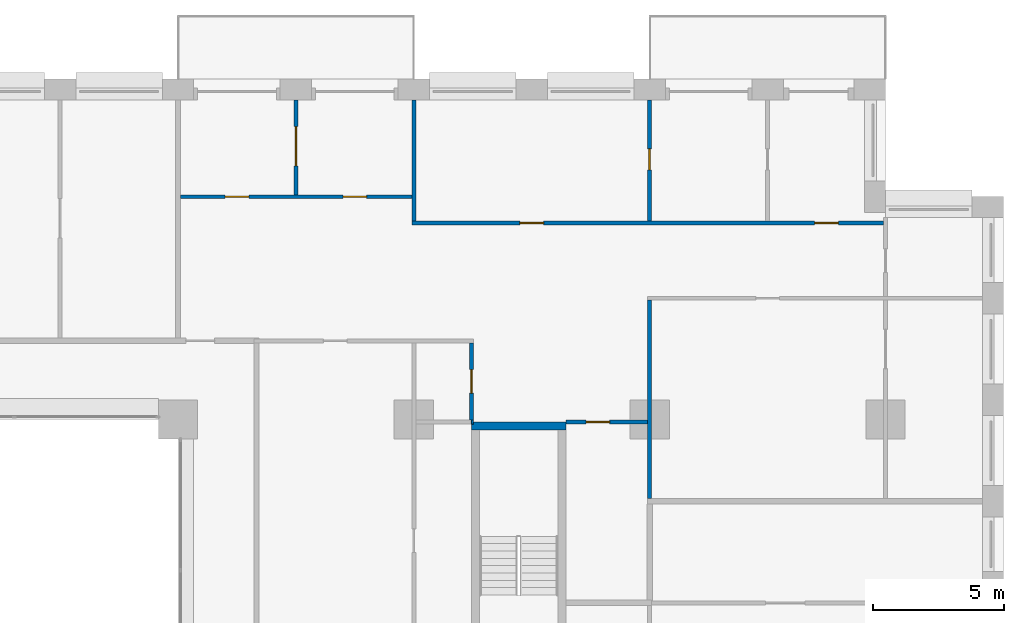
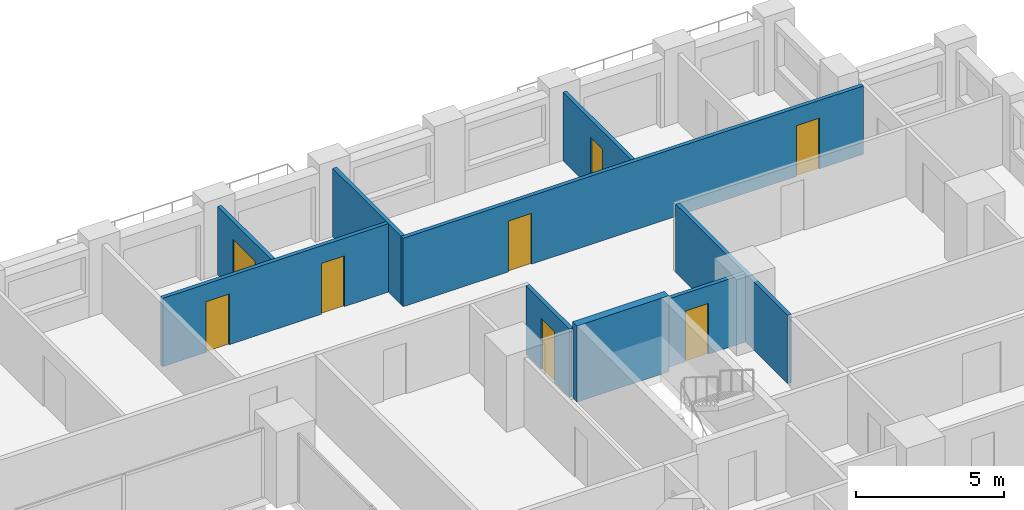
# One storey, part 16 of 21: 10 walls, 8 doors, 8 openings.
"""IFC4 building model written with IfcOpenShell, lengths in metres."""

from ifc_helpers import new_model, si_unit, direction, frame, frame_2d, origin, place, context, subcontext, project, spatial, rectangle, extrude, material, layer, layer_set, type_object, element, fill, save


model = new_model("IFC4")

# Units and contexts
model_context = context("Model", 3, precision=1e-05, world=origin(), true_north=direction((0.0, 1.0)))
body_context = subcontext(model_context, "Body", "Model", "MODEL_VIEW")
ifc_project = project(units=[si_unit("LENGTHUNIT", "METRE"), si_unit("AREAUNIT", "SQUARE_METRE"), si_unit("VOLUMEUNIT", "CUBIC_METRE"), si_unit("PLANEANGLEUNIT", "RADIAN"), si_unit("MASSUNIT", "GRAM", prefix="KILO")], contexts=[model_context])

# Site, building, storey
site_placement = place(None, origin())
site = spatial("IfcSite", under=ifc_project, at=site_placement, CompositionType="ELEMENT")
building_placement = place(site_placement, origin())
building = spatial("IfcBuilding", under=site, at=building_placement, Name="Brigalow Station Residences", CompositionType="ELEMENT")
storey_placement = place(building_placement, frame((0.0, 0.0, 51.0)))
storey = spatial("IfcBuildingStorey", under=building, at=storey_placement, Name="L14", CompositionType="ELEMENT", Elevation=51.0)

# Wall
ifc_material_1 = material(Name="Concrete C80", Category="concrete")
ifc_layer_1 = layer(ifc_material_1, 0.300048828125)
ifc_layer_set_1 = layer_set([ifc_layer_1], Name="CORE SHEAR WALL 300 C80")
wall_type_1 = type_object("IfcWallType", Name="CORE SHEAR WALL 300 C80", PredefinedType="SHEAR", material=ifc_layer_set_1)
wall_1_placement = place(storey_placement, frame((56.199951171875, 35.25, 0.0), z_axis=(0.0, 0.0, 1.0), x_axis=(1.0, 0.0, 0.0)))
element("IfcWall", 1, at=wall_1_placement, inside=storey, type_object=wall_type_1, Name="CORE WALL ST-S3-N L14", PredefinedType="SHEAR", context=body_context, shape_type="SweptSolid", body=[
    extrude(rectangle(XDim=3.60009765625, YDim=0.300048828125, at=frame_2d((1.800048828125, 0.0))), origin(), (0.0, 0.0, 1.0), 3.14990234375),
])

# Wall, openings, doors
ifc_material_2 = material(Name="Plasterboard on steel stud partition", Category="steel")
ifc_layer_2 = layer(ifc_material_2, 0.14990234375)
ifc_layer_set_2 = layer_set([ifc_layer_2], Name="FLAT PARTITION 150")
wall_type_2 = type_object("IfcWallType", Name="FLAT PARTITION 150", PredefinedType="PARTITIONING", material=ifc_layer_set_2)
wall_2_placement = place(storey_placement, frame((45.10009765625, 44.0, 0.0), z_axis=(0.0, 0.0, 1.0), x_axis=(1.0, 0.0, 0.0)))
wall_2 = element("IfcWall", 2, at=wall_2_placement, inside=storey, type_object=wall_type_2, Name="PW-1D22", PredefinedType="PARTITIONING", context=body_context, shape_type="SweptSolid", body=[
    extrude(rectangle(XDim=8.824951171875, YDim=0.14990234375, at=frame_2d((4.41259765625, 0.0))), origin(), (0.0, 0.0, 1.0), 2.830078125),
])
opening_1_placement = place(wall_2_placement, frame((6.199951171875, 0.0, 0.0)))
opening_1 = element("IfcOpeningElement", 3, at=opening_1_placement, cuts=wall_2, Name="Opening D-1D36", PredefinedType="OPENING", context=body_context, shape_type="SweptSolid", body=[
    extrude(rectangle(XDim=0.89990234375, YDim=2.10009765625, at=frame_2d((0.449951171875, 1.050048828125))), frame((0.0, 0.0849609375, 0.0), z_axis=(0.0, -1.0, 0.0), x_axis=(1.0, 0.0, 0.0)), (0.0, 0.0, 1.0), 0.169921875),
])
opening_2_placement = place(wall_2_placement, frame((1.699951171875, 0.0, 0.0)))
opening_2 = element("IfcOpeningElement", 4, at=opening_2_placement, cuts=wall_2, Name="Opening D-1D40", PredefinedType="OPENING", context=body_context, shape_type="SweptSolid", body=[
    extrude(rectangle(XDim=0.89990234375, YDim=2.10009765625, at=frame_2d((0.449951171875, 1.050048828125))), frame((0.0, 0.0849609375, 0.0), z_axis=(0.0, -1.0, 0.0), x_axis=(1.0, 0.0, 0.0)), (0.0, 0.0, 1.0), 0.169921875),
])
ifc_material_3 = material(Name="Solid-core timber door leaf", Category="wood")
door_type_1 = type_object("IfcDoorType", Name="INTERNAL DOOR 900 x 2100", OperationType="SINGLE_SWING_LEFT", PredefinedType="DOOR", material=ifc_material_3)
door_1_placement = place(opening_1_placement, origin())
door_1 = element("IfcDoor", 5, at=door_1_placement, inside=storey, type_object=door_type_1, Name="D-1D36", OperationType="SINGLE_SWING_LEFT", OverallHeight=2.10009765625, OverallWidth=0.89990234375, PredefinedType="DOOR", context=body_context, shape_type="SweptSolid", body=[
    extrude(rectangle(XDim=0.89990234375, YDim=2.10009765625, at=frame_2d((0.449951171875, 1.050048828125))), frame((0.0, 0.02490234375, 0.0), z_axis=(0.0, -1.0, 0.0), x_axis=(1.0, 0.0, 0.0)), (0.0, 0.0, 1.0), 0.050048828125),
])
fill(opening_1, door_1)
door_2_placement = place(opening_2_placement, origin())
door_2 = element("IfcDoor", 6, at=door_2_placement, inside=storey, type_object=door_type_1, Name="D-1D40", OperationType="SINGLE_SWING_LEFT", OverallHeight=2.10009765625, OverallWidth=0.89990234375, PredefinedType="DOOR", context=body_context, shape_type="SweptSolid", body=[
    extrude(rectangle(XDim=0.89990234375, YDim=2.10009765625, at=frame_2d((0.449951171875, 1.050048828125))), frame((0.0, 0.02490234375, 0.0), z_axis=(0.0, -1.0, 0.0), x_axis=(1.0, 0.0, 0.0)), (0.0, 0.0, 1.0), 0.050048828125),
])
fill(opening_2, door_2)

# Wall
wall_3_placement = place(storey_placement, frame((56.199951171875, 35.39990234375, 0.0), z_axis=(0.0, 0.0, 1.0), x_axis=(1.0, 0.0, 0.0)))
element("IfcWall", 7, at=wall_3_placement, inside=storey, type_object=wall_type_2, Name="PW-1D26", PredefinedType="PARTITIONING", context=body_context, shape_type="SweptSolid", body=[
    extrude(rectangle(XDim=0.074951171875, YDim=0.14990234375, at=frame_2d((0.03759765625, 0.0))), origin(), (0.0, 0.0, 1.0), 2.830078125),
])

# Wall, opening, door
wall_4_placement = place(storey_placement, frame((59.800048828125, 35.39990234375, 0.0), z_axis=(0.0, 0.0, 1.0), x_axis=(1.0, 0.0, 0.0)))
wall_4 = element("IfcWall", 8, at=wall_4_placement, inside=storey, type_object=wall_type_2, Name="PW-1D27", PredefinedType="PARTITIONING", context=body_context, shape_type="SweptSolid", body=[
    extrude(rectangle(XDim=3.125, YDim=0.14990234375, at=frame_2d((1.5625, 0.0))), origin(), (0.0, 0.0, 1.0), 2.830078125),
])
opening_3_placement = place(wall_4_placement, frame((0.77490234375, 0.0, 0.0)))
opening_3 = element("IfcOpeningElement", 9, at=opening_3_placement, cuts=wall_4, Name="Opening D-1D45", PredefinedType="OPENING", context=body_context, shape_type="SweptSolid", body=[
    extrude(rectangle(XDim=0.89990234375, YDim=2.10009765625, at=frame_2d((0.449951171875, 1.050048828125))), frame((0.0, 0.0849609375, 0.0), z_axis=(0.0, -1.0, 0.0), x_axis=(1.0, 0.0, 0.0)), (0.0, 0.0, 1.0), 0.169921875),
])
door_3_placement = place(opening_3_placement, frame((0.89990234375, 0.0, 0.0), z_axis=(0.0, 0.0, 1.0), x_axis=(-1.0, 0.0, 0.0)))
door_3 = element("IfcDoor", 10, at=door_3_placement, inside=storey, type_object=door_type_1, Name="D-1D45", OperationType="SINGLE_SWING_RIGHT", OverallHeight=2.10009765625, OverallWidth=0.89990234375, PredefinedType="DOOR", context=body_context, shape_type="SweptSolid", body=[
    extrude(rectangle(XDim=0.89990234375, YDim=2.10009765625, at=frame_2d((0.449951171875, 1.050048828125))), frame((0.0, 0.02490234375, 0.0), z_axis=(0.0, -1.0, 0.0), x_axis=(1.0, 0.0, 0.0)), (0.0, 0.0, 1.0), 0.050048828125),
])
fill(opening_3, door_3)

# Wall, openings, doors
wall_5_placement = place(storey_placement, frame((53.925048828125, 43.0, 0.0), z_axis=(0.0, 0.0, 1.0), x_axis=(1.0, 0.0, 0.0)))
wall_5 = element("IfcWall", 11, at=wall_5_placement, inside=storey, type_object=wall_type_2, Name="PW-1D30", PredefinedType="PARTITIONING", context=body_context, shape_type="SweptSolid", body=[
    extrude(rectangle(XDim=18.0, YDim=0.14990234375, at=frame_2d((9.0, 0.0))), origin(), (0.0, 0.0, 1.0), 2.830078125),
])
opening_4_placement = place(wall_5_placement, frame((15.375, 0.0, 0.0)))
opening_4 = element("IfcOpeningElement", 12, at=opening_4_placement, cuts=wall_5, Name="Opening D-1D35", PredefinedType="OPENING", context=body_context, shape_type="SweptSolid", body=[
    extrude(rectangle(XDim=0.89990234375, YDim=2.10009765625, at=frame_2d((0.449951171875, 1.050048828125))), frame((0.0, 0.0849609375, 0.0), z_axis=(0.0, -1.0, 0.0), x_axis=(1.0, 0.0, 0.0)), (0.0, 0.0, 1.0), 0.169921875),
])
opening_5_placement = place(wall_5_placement, frame((4.125, 0.0, 0.0)))
opening_5 = element("IfcOpeningElement", 13, at=opening_5_placement, cuts=wall_5, Name="Opening D-1D41", PredefinedType="OPENING", context=body_context, shape_type="SweptSolid", body=[
    extrude(rectangle(XDim=0.89990234375, YDim=2.10009765625, at=frame_2d((0.449951171875, 1.050048828125))), frame((0.0, 0.0849609375, 0.0), z_axis=(0.0, -1.0, 0.0), x_axis=(1.0, 0.0, 0.0)), (0.0, 0.0, 1.0), 0.169921875),
])
door_4_placement = place(opening_4_placement, origin())
door_4 = element("IfcDoor", 14, at=door_4_placement, inside=storey, type_object=door_type_1, Name="D-1D35", OperationType="SINGLE_SWING_RIGHT", OverallHeight=2.10009765625, OverallWidth=0.89990234375, PredefinedType="DOOR", context=body_context, shape_type="SweptSolid", body=[
    extrude(rectangle(XDim=0.89990234375, YDim=2.10009765625, at=frame_2d((0.449951171875, 1.050048828125))), frame((0.0, 0.02490234375, 0.0), z_axis=(0.0, -1.0, 0.0), x_axis=(1.0, 0.0, 0.0)), (0.0, 0.0, 1.0), 0.050048828125),
])
fill(opening_4, door_4)
door_5_placement = place(opening_5_placement, origin())
door_5 = element("IfcDoor", 15, at=door_5_placement, inside=storey, type_object=door_type_1, Name="D-1D41", OperationType="SINGLE_SWING_LEFT", OverallHeight=2.10009765625, OverallWidth=0.89990234375, PredefinedType="DOOR", context=body_context, shape_type="SweptSolid", body=[
    extrude(rectangle(XDim=0.89990234375, YDim=2.10009765625, at=frame_2d((0.449951171875, 1.050048828125))), frame((0.0, 0.02490234375, 0.0), z_axis=(0.0, -1.0, 0.0), x_axis=(1.0, 0.0, 0.0)), (0.0, 0.0, 1.0), 0.050048828125),
])
fill(opening_5, door_5)

# Walls
wall_6_placement = place(storey_placement, frame((54.0, 43.074951171875, 0.0), z_axis=(0.0, 0.0, 1.0), x_axis=(0.0, 1.0, 0.0)))
element("IfcWall", 16, at=wall_6_placement, inside=storey, type_object=wall_type_2, Name="PW-1D40", PredefinedType="PARTITIONING", context=body_context, shape_type="SweptSolid", body=[
    extrude(rectangle(XDim=4.625, YDim=0.14990234375, at=frame_2d((2.3125, 0.0))), origin(), (0.0, 0.0, 1.0), 2.830078125),
])
wall_7_placement = place(storey_placement, frame((63.0, 32.47509765625, 0.0), z_axis=(0.0, 0.0, 1.0), x_axis=(0.0, 1.0, 0.0)))
element("IfcWall", 17, at=wall_7_placement, inside=storey, type_object=wall_type_2, Name="PW-1D71", PredefinedType="PARTITIONING", context=body_context, shape_type="SweptSolid", body=[
    extrude(rectangle(XDim=7.574951171875, YDim=0.14990234375, at=frame_2d((3.78759765625, 0.0))), origin(), (0.0, 0.0, 1.0), 2.830078125),
])

# Wall, opening, door
wall_8_placement = place(storey_placement, frame((63.0, 43.074951171875, 0.0), z_axis=(0.0, 0.0, 1.0), x_axis=(0.0, 1.0, 0.0)))
wall_8 = element("IfcWall", 18, at=wall_8_placement, inside=storey, type_object=wall_type_2, Name="PW-1D72", PredefinedType="PARTITIONING", context=body_context, shape_type="SweptSolid", body=[
    extrude(rectangle(XDim=4.625, YDim=0.14990234375, at=frame_2d((2.3125, 0.0))), origin(), (0.0, 0.0, 1.0), 2.830078125),
])
opening_6_placement = place(wall_8_placement, frame((1.949951171875, 0.0, 0.0)))
opening_6 = element("IfcOpeningElement", 19, at=opening_6_placement, cuts=wall_8, Name="Opening D-1D38", PredefinedType="OPENING", context=body_context, shape_type="SweptSolid", body=[
    extrude(rectangle(XDim=0.800048828125, YDim=2.10009765625, at=frame_2d((0.39990234375, 1.050048828125))), frame((0.0, 0.0849609375, 0.0), z_axis=(0.0, -1.0, 0.0), x_axis=(1.0, 0.0, 0.0)), (0.0, 0.0, 1.0), 0.169921875),
])
ifc_material_4 = material(Name="Solid-core timber door leaf", Category="wood")
door_type_2 = type_object("IfcDoorType", Name="INTERNAL DOOR 800 x 2100", OperationType="SINGLE_SWING_LEFT", PredefinedType="DOOR", material=ifc_material_4)
door_6_placement = place(opening_6_placement, frame((0.800048828125, 0.0, 0.0), z_axis=(0.0, 0.0, 1.0), x_axis=(-1.0, 0.0, 0.0)))
door_6 = element("IfcDoor", 20, at=door_6_placement, inside=storey, type_object=door_type_2, Name="D-1D38", OperationType="SINGLE_SWING_LEFT", OverallHeight=2.10009765625, OverallWidth=0.800048828125, PredefinedType="DOOR", context=body_context, shape_type="SweptSolid", body=[
    extrude(rectangle(XDim=0.800048828125, YDim=2.10009765625, at=frame_2d((0.39990234375, 1.050048828125))), frame((0.0, 0.02490234375, 0.0), z_axis=(0.0, -1.0, 0.0), x_axis=(1.0, 0.0, 0.0)), (0.0, 0.0, 1.0), 0.050048828125),
])
fill(opening_6, door_6)

wall_9_placement = place(storey_placement, frame((56.199951171875, 35.47509765625, 0.0), z_axis=(0.0, 0.0, 1.0), x_axis=(0.0, 1.0, 0.0)))
wall_9 = element("IfcWall", 21, at=wall_9_placement, inside=storey, type_object=wall_type_2, Name="PW-1D74", PredefinedType="PARTITIONING", context=body_context, shape_type="SweptSolid", body=[
    extrude(rectangle(XDim=2.949951171875, YDim=0.14990234375, at=frame_2d((1.47509765625, 0.0))), origin(), (0.0, 0.0, 1.0), 2.830078125),
])
opening_7_placement = place(wall_9_placement, frame((1.02490234375, 0.0, 0.0)))
opening_7 = element("IfcOpeningElement", 22, at=opening_7_placement, cuts=wall_9, Name="Opening D-1D44", PredefinedType="OPENING", context=body_context, shape_type="SweptSolid", body=[
    extrude(rectangle(XDim=0.89990234375, YDim=2.10009765625, at=frame_2d((0.449951171875, 1.050048828125))), frame((0.0, 0.0849609375, 0.0), z_axis=(0.0, -1.0, 0.0), x_axis=(1.0, 0.0, 0.0)), (0.0, 0.0, 1.0), 0.169921875),
])
door_7_placement = place(opening_7_placement, origin())
door_7 = element("IfcDoor", 23, at=door_7_placement, inside=storey, type_object=door_type_1, Name="D-1D44", OperationType="SINGLE_SWING_RIGHT", OverallHeight=2.10009765625, OverallWidth=0.89990234375, PredefinedType="DOOR", context=body_context, shape_type="SweptSolid", body=[
    extrude(rectangle(XDim=0.89990234375, YDim=2.10009765625, at=frame_2d((0.449951171875, 1.050048828125))), frame((0.0, 0.02490234375, 0.0), z_axis=(0.0, -1.0, 0.0), x_axis=(1.0, 0.0, 0.0)), (0.0, 0.0, 1.0), 0.050048828125),
])
fill(opening_7, door_7)

wall_10_placement = place(storey_placement, frame((49.5, 44.074951171875, 0.0), z_axis=(0.0, 0.0, 1.0), x_axis=(0.0, 1.0, 0.0)))
wall_10 = element("IfcWall", 24, at=wall_10_placement, inside=storey, type_object=wall_type_2, Name="PW-1D78", PredefinedType="PARTITIONING", context=body_context, shape_type="SweptSolid", body=[
    extrude(rectangle(XDim=3.625, YDim=0.14990234375, at=frame_2d((1.8125, 0.0))), origin(), (0.0, 0.0, 1.0), 2.830078125),
])
opening_8_placement = place(wall_10_placement, frame((1.10009765625, 0.0, 0.0)))
opening_8 = element("IfcOpeningElement", 25, at=opening_8_placement, cuts=wall_10, Name="Opening D-1D37", PredefinedType="OPENING", context=body_context, shape_type="SweptSolid", body=[
    extrude(rectangle(XDim=1.5, YDim=2.10009765625, at=frame_2d((0.75, 1.050048828125))), frame((0.0, 0.0849609375, 0.0), z_axis=(0.0, -1.0, 0.0), x_axis=(1.0, 0.0, 0.0)), (0.0, 0.0, 1.0), 0.169921875),
])
ifc_material_5 = material(Name="Solid-core timber door leaf", Category="wood")
door_type_3 = type_object("IfcDoorType", Name="INTERNAL DOUBLE DOOR 1500 x 2100", OperationType="DOUBLE_DOOR_SINGLE_SWING", PredefinedType="DOOR", material=ifc_material_5)
door_8_placement = place(opening_8_placement, origin())
door_8 = element("IfcDoor", 26, at=door_8_placement, inside=storey, type_object=door_type_3, Name="D-1D37", OperationType="DOUBLE_DOOR_SINGLE_SWING", OverallHeight=2.10009765625, OverallWidth=1.5, PredefinedType="DOOR", context=body_context, shape_type="SweptSolid", body=[
    extrude(rectangle(XDim=1.5, YDim=2.10009765625, at=frame_2d((0.75, 1.050048828125))), frame((0.0, 0.02490234375, 0.0), z_axis=(0.0, -1.0, 0.0), x_axis=(1.0, 0.0, 0.0)), (0.0, 0.0, 1.0), 0.050048828125),
])
fill(opening_8, door_8)

save(model, "model.ifc")
